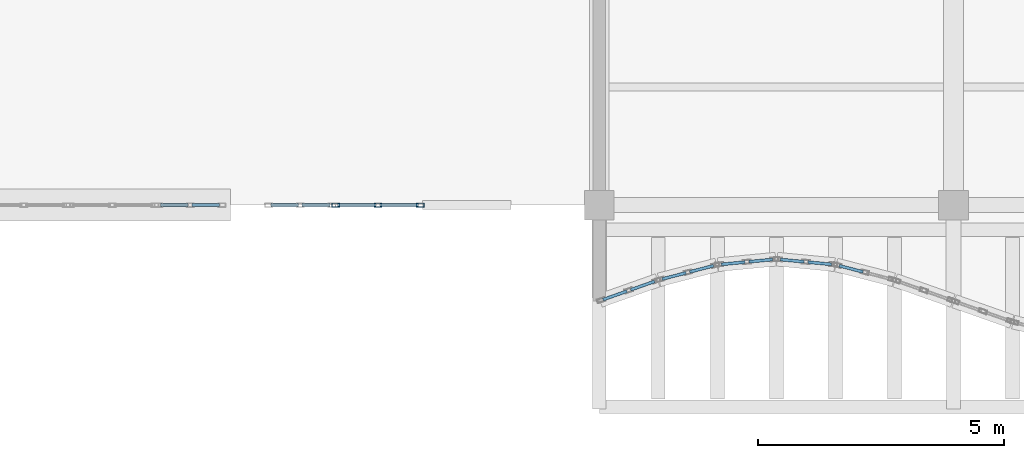
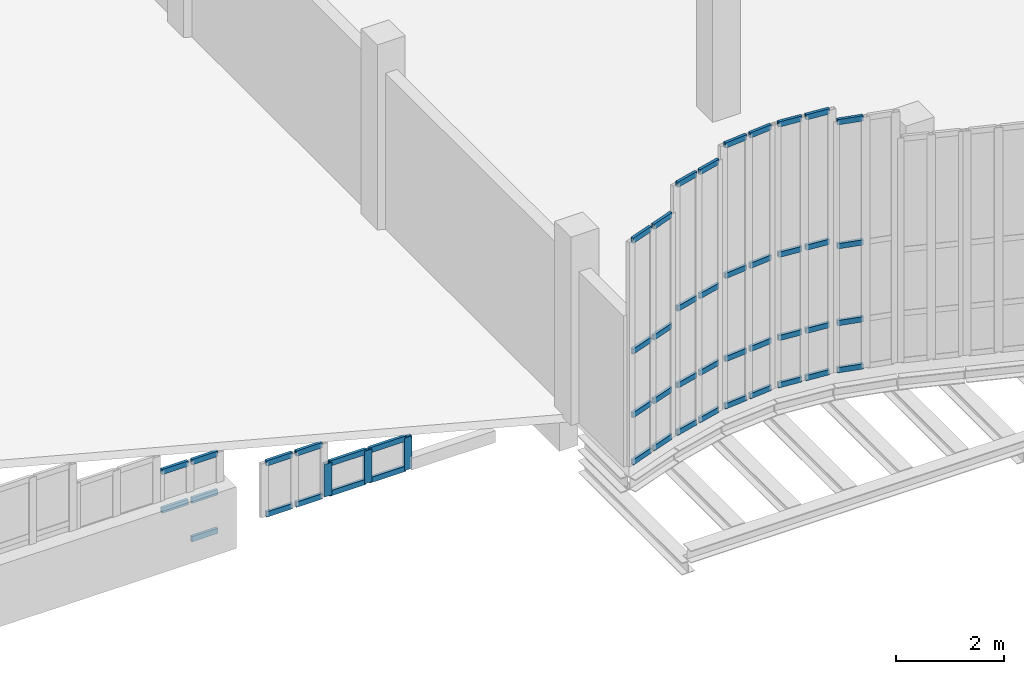
# One storey, part 33 of 76: 52 members, 8 elements without a shape of their own.
"""IFC4 building model written with IfcOpenShell, lengths in metres."""

from ifc_helpers import new_model, si_unit, direction, frame, origin, origin_2d, place, context, subcontext, project, spatial, hollow_rectangle, extrude, material, layer, layer_set, material_profile, profile_set, type_object, element, aggregate, save


model = new_model("IFC4")

# Units and contexts
model_context = context("Model", 3, precision=1e-05, world=origin(), true_north=direction((0.0, 1.0)))
body_context = subcontext(model_context, "Body", "Model", "MODEL_VIEW")
ifc_project = project(units=[si_unit("LENGTHUNIT", "METRE"), si_unit("AREAUNIT", "SQUARE_METRE"), si_unit("VOLUMEUNIT", "CUBIC_METRE"), si_unit("PLANEANGLEUNIT", "RADIAN"), si_unit("MASSUNIT", "GRAM", prefix="KILO"), si_unit("THERMODYNAMICTEMPERATUREUNIT", "KELVIN"), si_unit("POWERUNIT", "WATT")], contexts=[model_context])

# Site, building, storey
site_placement = place(None, origin())
site = spatial("IfcSite", under=ifc_project, at=site_placement, CompositionType="ELEMENT")
building_placement = place(site_placement, origin())
building = spatial("IfcBuilding", under=site, at=building_placement, Name="Kaldorven Railside Theatre", CompositionType="ELEMENT")
storey_placement = place(building_placement, frame((0.0, 0.0, 14.39990234375)))
storey = spatial("IfcBuildingStorey", under=building, at=storey_placement, Name="L03", CompositionType="ELEMENT", Elevation=14.39990234375)

# Curtain wall, members
ifc_material_1 = material(Name="Low-E laminated solar-control glass", Category="glass")
ifc_layer_1 = layer(ifc_material_1, 0.159912109375, Name="Low-E laminated solar-control glass")
ifc_layer_set_1 = layer_set([ifc_layer_1], Name="Low-E laminated solar-control glass")
curtain_wall_type_1 = type_object("IfcCurtainWallType", Name="CWT-60", PredefinedType="USERDEFINED", material=ifc_layer_set_1)
curtain_wall_1_placement = place(storey_placement, origin())
curtain_wall_1 = element("IfcCurtainWall", 1, at=curtain_wall_1_placement, inside=storey, type_object=curtain_wall_type_1, Name="Studio South Gable Clerestory CWG-123", ObjectType="FLUTED GLAZING", PredefinedType="USERDEFINED")
ifc_material_2 = material(Name="Anodised bronze aluminium", Category="aluminium")
ifc_material_profile_1 = material_profile(ifc_material_2, hollow_rectangle(XDim=0.080078125, YDim=0.159912109375, WallThickness=0.00634765625, at=origin_2d()), Name="RHS 160x80x6.3")
ifc_profile_set_1 = profile_set([ifc_material_profile_1], Name="Anodised bronze aluminium")
member_type_1 = type_object("IfcMemberType", Name="CWM-160", PredefinedType="MULLION", material=ifc_profile_set_1)
member_1_placement = place(storey_placement, frame((31.43994140625, 19.199951171875, 0.02001953125), z_axis=(0.0, 0.0, 1.0), x_axis=(0.0, 1.0, 0.0)))
member_1 = element("IfcMember", 2, at=member_1_placement, type_object=member_type_1, Name="CWG-123 mullion 1", PredefinedType="MULLION", context=body_context, shape_type="SweptSolid", body=[
    extrude(hollow_rectangle(XDim=0.080078125, YDim=0.159912109375, WallThickness=0.00634765625, at=origin_2d()), origin(), (0.0, 0.0, 1.0), 0.739990234375),
])
member_2_placement = place(storey_placement, frame((32.300048828125, 19.199951171875, 0.02001953125), z_axis=(0.0, 0.0, 1.0), x_axis=(0.0, 1.0, 0.0)))
member_2 = element("IfcMember", 3, at=member_2_placement, type_object=member_type_1, Name="CWG-123 mullion 2", PredefinedType="MULLION", context=body_context, shape_type="SweptSolid", body=[
    extrude(hollow_rectangle(XDim=0.080078125, YDim=0.159912109375, WallThickness=0.00634765625, at=origin_2d()), origin(), (0.0, 0.0, 1.0), 0.739990234375),
])
member_3_placement = place(storey_placement, frame((33.159912109375, 19.199951171875, 0.02001953125), z_axis=(0.0, 0.0, 1.0), x_axis=(0.0, 1.0, 0.0)))
member_3 = element("IfcMember", 4, at=member_3_placement, type_object=member_type_1, Name="CWG-123 mullion 3", PredefinedType="MULLION", context=body_context, shape_type="SweptSolid", body=[
    extrude(hollow_rectangle(XDim=0.080078125, YDim=0.159912109375, WallThickness=0.00634765625, at=origin_2d()), origin(), (0.0, 0.0, 1.0), 0.739990234375),
])

ifc_layer_2 = layer(ifc_material_1, 0.159912109375, Name="Low-E laminated solar-control glass")
ifc_layer_set_2 = layer_set([ifc_layer_2], Name="Low-E laminated solar-control glass")
curtain_wall_type_2 = type_object("IfcCurtainWallType", Name="CWT-08", PredefinedType="USERDEFINED", material=ifc_layer_set_2)
curtain_wall_2_placement = place(storey_placement, origin())
curtain_wall_2 = element("IfcCurtainWall", 5, at=curtain_wall_2_placement, inside=storey, type_object=curtain_wall_type_2, Name="Sinusoidal Fluted Curtain Wall CW-L03-S01", ObjectType="FLUTED GLAZING", PredefinedType="USERDEFINED")
ifc_material_profile_2 = material_profile(ifc_material_2, hollow_rectangle(XDim=0.06005859375, YDim=0.1201171875, WallThickness=0.0048828125, at=origin_2d()), Name="RHS 120x60x5")
ifc_profile_set_2 = profile_set([ifc_material_profile_2], Name="Anodised bronze aluminium")
member_type_2 = type_object("IfcMemberType", Name="CWT-120", PredefinedType="USERDEFINED", material=ifc_profile_set_2)
member_4_placement = place(storey_placement, frame((36.87548828125, 17.276611328125, 0.030029296875), z_axis=(0.942509408488, 0.334179614745, 0.0), x_axis=(-0.334179614745, 0.942509408488, 0.0)))
member_4 = element("IfcMember", 6, at=member_4_placement, type_object=member_type_2, Name="CW-L03-S01 transom 1.1", ObjectType="TRANSOM", PredefinedType="USERDEFINED", context=body_context, shape_type="SweptSolid", body=[
    extrude(hollow_rectangle(XDim=0.06005859375, YDim=0.1201171875, WallThickness=0.0048828125, at=origin_2d()), origin(), (0.0, 0.0, 1.0), 0.5166015625),
])
member_5_placement = place(storey_placement, frame((36.87548828125, 17.276611328125, 1.10009765625), z_axis=(0.942509408488, 0.334179614745, 0.0), x_axis=(-0.334179614745, 0.942509408488, 0.0)))
member_5 = element("IfcMember", 7, at=member_5_placement, type_object=member_type_2, Name="CW-L03-S01 transom 1.2", ObjectType="TRANSOM", PredefinedType="USERDEFINED", context=body_context, shape_type="SweptSolid", body=[
    extrude(hollow_rectangle(XDim=0.06005859375, YDim=0.1201171875, WallThickness=0.0048828125, at=origin_2d()), origin(), (0.0, 0.0, 1.0), 0.5166015625),
])
member_6_placement = place(storey_placement, frame((36.87548828125, 17.276611328125, 2.545166015625), z_axis=(0.942509408488, 0.334179614745, 0.0), x_axis=(-0.334179614745, 0.942509408488, 0.0)))
member_6 = element("IfcMember", 8, at=member_6_placement, type_object=member_type_2, Name="CW-L03-S01 transom 1.3", ObjectType="TRANSOM", PredefinedType="USERDEFINED", context=body_context, shape_type="SweptSolid", body=[
    extrude(hollow_rectangle(XDim=0.06005859375, YDim=0.1201171875, WallThickness=0.0048828125, at=origin_2d()), origin(), (0.0, 0.0, 1.0), 0.5166015625),
])
member_7_placement = place(storey_placement, frame((36.87548828125, 17.276611328125, 5.06005859375), z_axis=(0.942509408488, 0.334179614745, 0.0), x_axis=(-0.334179614745, 0.942509408488, 0.0)))
member_7 = element("IfcMember", 9, at=member_7_placement, type_object=member_type_2, Name="CW-L03-S01 transom 1.4", ObjectType="TRANSOM", PredefinedType="USERDEFINED", context=body_context, shape_type="SweptSolid", body=[
    extrude(hollow_rectangle(XDim=0.06005859375, YDim=0.1201171875, WallThickness=0.0048828125, at=origin_2d()), origin(), (0.0, 0.0, 1.0), 0.5166015625),
])
member_8_placement = place(storey_placement, frame((37.437744140625, 17.475830078125, 0.030029296875), z_axis=(0.942658214948, 0.333759628763, 0.0), x_axis=(-0.333759628763, 0.942658214948, 0.0)))
member_8 = element("IfcMember", 10, at=member_8_placement, type_object=member_type_2, Name="CW-L03-S01 transom 2.1", ObjectType="TRANSOM", PredefinedType="USERDEFINED", context=body_context, shape_type="SweptSolid", body=[
    extrude(hollow_rectangle(XDim=0.06005859375, YDim=0.1201171875, WallThickness=0.0048828125, at=origin_2d()), origin(), (0.0, 0.0, 1.0), 0.516357421875),
])
member_9_placement = place(storey_placement, frame((37.437744140625, 17.475830078125, 1.10009765625), z_axis=(0.942658214948, 0.333759628763, 0.0), x_axis=(-0.333759628763, 0.942658214948, 0.0)))
member_9 = element("IfcMember", 11, at=member_9_placement, type_object=member_type_2, Name="CW-L03-S01 transom 2.2", ObjectType="TRANSOM", PredefinedType="USERDEFINED", context=body_context, shape_type="SweptSolid", body=[
    extrude(hollow_rectangle(XDim=0.06005859375, YDim=0.1201171875, WallThickness=0.0048828125, at=origin_2d()), origin(), (0.0, 0.0, 1.0), 0.516357421875),
])
member_10_placement = place(storey_placement, frame((37.437744140625, 17.475830078125, 2.545166015625), z_axis=(0.942658214948, 0.333759628763, 0.0), x_axis=(-0.333759628763, 0.942658214948, 0.0)))
member_10 = element("IfcMember", 12, at=member_10_placement, type_object=member_type_2, Name="CW-L03-S01 transom 2.3", ObjectType="TRANSOM", PredefinedType="USERDEFINED", context=body_context, shape_type="SweptSolid", body=[
    extrude(hollow_rectangle(XDim=0.06005859375, YDim=0.1201171875, WallThickness=0.0048828125, at=origin_2d()), origin(), (0.0, 0.0, 1.0), 0.516357421875),
])
member_11_placement = place(storey_placement, frame((37.437744140625, 17.475830078125, 5.06005859375), z_axis=(0.942658214948, 0.333759628763, 0.0), x_axis=(-0.333759628763, 0.942658214948, 0.0)))
member_11 = element("IfcMember", 13, at=member_11_placement, type_object=member_type_2, Name="CW-L03-S01 transom 2.4", ObjectType="TRANSOM", PredefinedType="USERDEFINED", context=body_context, shape_type="SweptSolid", body=[
    extrude(hollow_rectangle(XDim=0.06005859375, YDim=0.1201171875, WallThickness=0.0048828125, at=origin_2d()), origin(), (0.0, 0.0, 1.0), 0.516357421875),
])
aggregate(curtain_wall_2, [member_4, member_5, member_6, member_7, member_8, member_9, member_10, member_11])

ifc_layer_3 = layer(ifc_material_1, 0.159912109375, Name="Low-E laminated solar-control glass")
ifc_layer_set_3 = layer_set([ifc_layer_3], Name="Low-E laminated solar-control glass")
curtain_wall_type_3 = type_object("IfcCurtainWallType", Name="CWT-09", PredefinedType="USERDEFINED", material=ifc_layer_set_3)
curtain_wall_3_placement = place(storey_placement, origin())
curtain_wall_3 = element("IfcCurtainWall", 14, at=curtain_wall_3_placement, inside=storey, type_object=curtain_wall_type_3, Name="Sinusoidal Fluted Curtain Wall CW-L03-S02", ObjectType="FLUTED GLAZING", PredefinedType="USERDEFINED")
member_12_placement = place(storey_placement, frame((38.077392578125, 17.695068359375, 0.030029296875), z_axis=(0.967979318949, 0.251029954561, 0.0), x_axis=(-0.251029954561, 0.967979318949, 0.0)))
member_12 = element("IfcMember", 15, at=member_12_placement, type_object=member_type_2, Name="CW-L03-S02 transom 1.1", ObjectType="TRANSOM", PredefinedType="USERDEFINED", context=body_context, shape_type="SweptSolid", body=[
    extrude(hollow_rectangle(XDim=0.06005859375, YDim=0.1201171875, WallThickness=0.0048828125, at=origin_2d()), origin(), (0.0, 0.0, 1.0), 0.5),
])
member_13_placement = place(storey_placement, frame((38.077392578125, 17.695068359375, 1.10009765625), z_axis=(0.967979318949, 0.251029954561, 0.0), x_axis=(-0.251029954561, 0.967979318949, 0.0)))
member_13 = element("IfcMember", 16, at=member_13_placement, type_object=member_type_2, Name="CW-L03-S02 transom 1.2", ObjectType="TRANSOM", PredefinedType="USERDEFINED", context=body_context, shape_type="SweptSolid", body=[
    extrude(hollow_rectangle(XDim=0.06005859375, YDim=0.1201171875, WallThickness=0.0048828125, at=origin_2d()), origin(), (0.0, 0.0, 1.0), 0.5),
])
member_14_placement = place(storey_placement, frame((38.077392578125, 17.695068359375, 2.84521484375), z_axis=(0.967979318949, 0.251029954561, 0.0), x_axis=(-0.251029954561, 0.967979318949, 0.0)))
member_14 = element("IfcMember", 17, at=member_14_placement, type_object=member_type_2, Name="CW-L03-S02 transom 1.3", ObjectType="TRANSOM", PredefinedType="USERDEFINED", context=body_context, shape_type="SweptSolid", body=[
    extrude(hollow_rectangle(XDim=0.06005859375, YDim=0.1201171875, WallThickness=0.0048828125, at=origin_2d()), origin(), (0.0, 0.0, 1.0), 0.5),
])
member_15_placement = place(storey_placement, frame((38.077392578125, 17.695068359375, 5.66015625), z_axis=(0.967979318949, 0.251029954561, 0.0), x_axis=(-0.251029954561, 0.967979318949, 0.0)))
member_15 = element("IfcMember", 18, at=member_15_placement, type_object=member_type_2, Name="CW-L03-S02 transom 1.4", ObjectType="TRANSOM", PredefinedType="USERDEFINED", context=body_context, shape_type="SweptSolid", body=[
    extrude(hollow_rectangle(XDim=0.06005859375, YDim=0.1201171875, WallThickness=0.0048828125, at=origin_2d()), origin(), (0.0, 0.0, 1.0), 0.5),
])
member_16_placement = place(storey_placement, frame((38.638671875, 17.840576171875, 0.030029296875), z_axis=(0.967979318949, 0.251029954561, 0.0), x_axis=(-0.251029954561, 0.967979318949, 0.0)))
member_16 = element("IfcMember", 19, at=member_16_placement, type_object=member_type_2, Name="CW-L03-S02 transom 2.1", ObjectType="TRANSOM", PredefinedType="USERDEFINED", context=body_context, shape_type="SweptSolid", body=[
    extrude(hollow_rectangle(XDim=0.06005859375, YDim=0.1201171875, WallThickness=0.0048828125, at=origin_2d()), origin(), (0.0, 0.0, 1.0), 0.5),
])
member_17_placement = place(storey_placement, frame((38.638671875, 17.840576171875, 1.10009765625), z_axis=(0.967979318949, 0.251029954561, 0.0), x_axis=(-0.251029954561, 0.967979318949, 0.0)))
member_17 = element("IfcMember", 20, at=member_17_placement, type_object=member_type_2, Name="CW-L03-S02 transom 2.2", ObjectType="TRANSOM", PredefinedType="USERDEFINED", context=body_context, shape_type="SweptSolid", body=[
    extrude(hollow_rectangle(XDim=0.06005859375, YDim=0.1201171875, WallThickness=0.0048828125, at=origin_2d()), origin(), (0.0, 0.0, 1.0), 0.5),
])
member_18_placement = place(storey_placement, frame((38.638671875, 17.840576171875, 2.84521484375), z_axis=(0.967979318949, 0.251029954561, 0.0), x_axis=(-0.251029954561, 0.967979318949, 0.0)))
member_18 = element("IfcMember", 21, at=member_18_placement, type_object=member_type_2, Name="CW-L03-S02 transom 2.3", ObjectType="TRANSOM", PredefinedType="USERDEFINED", context=body_context, shape_type="SweptSolid", body=[
    extrude(hollow_rectangle(XDim=0.06005859375, YDim=0.1201171875, WallThickness=0.0048828125, at=origin_2d()), origin(), (0.0, 0.0, 1.0), 0.5),
])
member_19_placement = place(storey_placement, frame((38.638671875, 17.840576171875, 5.66015625), z_axis=(0.967979318949, 0.251029954561, 0.0), x_axis=(-0.251029954561, 0.967979318949, 0.0)))
member_19 = element("IfcMember", 22, at=member_19_placement, type_object=member_type_2, Name="CW-L03-S02 transom 2.4", ObjectType="TRANSOM", PredefinedType="USERDEFINED", context=body_context, shape_type="SweptSolid", body=[
    extrude(hollow_rectangle(XDim=0.06005859375, YDim=0.1201171875, WallThickness=0.0048828125, at=origin_2d()), origin(), (0.0, 0.0, 1.0), 0.5),
])
aggregate(curtain_wall_3, [member_12, member_13, member_14, member_15, member_16, member_17, member_18, member_19])

ifc_layer_4 = layer(ifc_material_1, 0.159912109375, Name="Low-E laminated solar-control glass")
ifc_layer_set_4 = layer_set([ifc_layer_4], Name="Low-E laminated solar-control glass")
curtain_wall_type_4 = type_object("IfcCurtainWallType", Name="CWT-10", PredefinedType="USERDEFINED", material=ifc_layer_set_4)
curtain_wall_4_placement = place(storey_placement, origin())
curtain_wall_4 = element("IfcCurtainWall", 23, at=curtain_wall_4_placement, inside=storey, type_object=curtain_wall_type_4, Name="Sinusoidal Fluted Curtain Wall CW-L03-S03", ObjectType="FLUTED GLAZING", PredefinedType="USERDEFINED")
member_20_placement = place(storey_placement, frame((39.279541015625, 17.99365234375, 0.030029296875), z_axis=(0.995520433802, 0.094546633378, 0.0), x_axis=(-0.094546633378, 0.995520433802, 0.0)))
member_20 = element("IfcMember", 24, at=member_20_placement, type_object=member_type_2, Name="CW-L03-S03 transom 1.1", ObjectType="TRANSOM", PredefinedType="USERDEFINED", context=body_context, shape_type="SweptSolid", body=[
    extrude(hollow_rectangle(XDim=0.06005859375, YDim=0.1201171875, WallThickness=0.0048828125, at=origin_2d()), origin(), (0.0, 0.0, 1.0), 0.48291015625),
])
member_21_placement = place(storey_placement, frame((39.279541015625, 17.99365234375, 1.10009765625), z_axis=(0.995520433802, 0.094546633378, 0.0), x_axis=(-0.094546633378, 0.995520433802, 0.0)))
member_21 = element("IfcMember", 25, at=member_21_placement, type_object=member_type_2, Name="CW-L03-S03 transom 1.2", ObjectType="TRANSOM", PredefinedType="USERDEFINED", context=body_context, shape_type="SweptSolid", body=[
    extrude(hollow_rectangle(XDim=0.06005859375, YDim=0.1201171875, WallThickness=0.0048828125, at=origin_2d()), origin(), (0.0, 0.0, 1.0), 0.48291015625),
])
member_22_placement = place(storey_placement, frame((39.279541015625, 17.99365234375, 2.989990234375), z_axis=(0.995520433802, 0.094546633378, 0.0), x_axis=(-0.094546633378, 0.995520433802, 0.0)))
member_22 = element("IfcMember", 26, at=member_22_placement, type_object=member_type_2, Name="CW-L03-S03 transom 1.3", ObjectType="TRANSOM", PredefinedType="USERDEFINED", context=body_context, shape_type="SweptSolid", body=[
    extrude(hollow_rectangle(XDim=0.06005859375, YDim=0.1201171875, WallThickness=0.0048828125, at=origin_2d()), origin(), (0.0, 0.0, 1.0), 0.48291015625),
])
member_23_placement = place(storey_placement, frame((39.279541015625, 17.99365234375, 5.9501953125), z_axis=(0.995520433802, 0.094546633378, 0.0), x_axis=(-0.094546633378, 0.995520433802, 0.0)))
member_23 = element("IfcMember", 27, at=member_23_placement, type_object=member_type_2, Name="CW-L03-S03 transom 1.4", ObjectType="TRANSOM", PredefinedType="USERDEFINED", context=body_context, shape_type="SweptSolid", body=[
    extrude(hollow_rectangle(XDim=0.06005859375, YDim=0.1201171875, WallThickness=0.0048828125, at=origin_2d()), origin(), (0.0, 0.0, 1.0), 0.48291015625),
])
member_24_placement = place(storey_placement, frame((39.83984375, 18.046875, 0.030029296875), z_axis=(0.995515910823, 0.094594245591, 0.0), x_axis=(-0.094594245591, 0.995515910823, 0.0)))
member_24 = element("IfcMember", 28, at=member_24_placement, type_object=member_type_2, Name="CW-L03-S03 transom 2.1", ObjectType="TRANSOM", PredefinedType="USERDEFINED", context=body_context, shape_type="SweptSolid", body=[
    extrude(hollow_rectangle(XDim=0.06005859375, YDim=0.1201171875, WallThickness=0.0048828125, at=origin_2d()), origin(), (0.0, 0.0, 1.0), 0.482666015625),
])
member_25_placement = place(storey_placement, frame((39.83984375, 18.046875, 1.10009765625), z_axis=(0.995515910823, 0.094594245591, 0.0), x_axis=(-0.094594245591, 0.995515910823, 0.0)))
member_25 = element("IfcMember", 29, at=member_25_placement, type_object=member_type_2, Name="CW-L03-S03 transom 2.2", ObjectType="TRANSOM", PredefinedType="USERDEFINED", context=body_context, shape_type="SweptSolid", body=[
    extrude(hollow_rectangle(XDim=0.06005859375, YDim=0.1201171875, WallThickness=0.0048828125, at=origin_2d()), origin(), (0.0, 0.0, 1.0), 0.482666015625),
])
member_26_placement = place(storey_placement, frame((39.83984375, 18.046875, 2.989990234375), z_axis=(0.995515910823, 0.094594245591, 0.0), x_axis=(-0.094594245591, 0.995515910823, 0.0)))
member_26 = element("IfcMember", 30, at=member_26_placement, type_object=member_type_2, Name="CW-L03-S03 transom 2.3", ObjectType="TRANSOM", PredefinedType="USERDEFINED", context=body_context, shape_type="SweptSolid", body=[
    extrude(hollow_rectangle(XDim=0.06005859375, YDim=0.1201171875, WallThickness=0.0048828125, at=origin_2d()), origin(), (0.0, 0.0, 1.0), 0.482666015625),
])
member_27_placement = place(storey_placement, frame((39.83984375, 18.046875, 5.9501953125), z_axis=(0.995515910823, 0.094594245591, 0.0), x_axis=(-0.094594245591, 0.995515910823, 0.0)))
member_27 = element("IfcMember", 31, at=member_27_placement, type_object=member_type_2, Name="CW-L03-S03 transom 2.4", ObjectType="TRANSOM", PredefinedType="USERDEFINED", context=body_context, shape_type="SweptSolid", body=[
    extrude(hollow_rectangle(XDim=0.06005859375, YDim=0.1201171875, WallThickness=0.0048828125, at=origin_2d()), origin(), (0.0, 0.0, 1.0), 0.482666015625),
])
aggregate(curtain_wall_4, [member_20, member_21, member_22, member_23, member_24, member_25, member_26, member_27])

curtain_wall_5_placement = place(storey_placement, origin())
curtain_wall_5 = element("IfcCurtainWall", 32, at=curtain_wall_5_placement, inside=storey, type_object=curtain_wall_type_4, Name="Sinusoidal Fluted Curtain Wall CW-L03-S04", ObjectType="FLUTED GLAZING", PredefinedType="USERDEFINED")
member_28_placement = place(storey_placement, frame((40.479736328125, 18.092529296875, 0.030029296875), z_axis=(0.995515910823, -0.094594245591, 0.0), x_axis=(0.094594245591, 0.995515910823, 0.0)))
member_28 = element("IfcMember", 33, at=member_28_placement, type_object=member_type_2, Name="CW-L03-S04 transom 1.1", ObjectType="TRANSOM", PredefinedType="USERDEFINED", context=body_context, shape_type="SweptSolid", body=[
    extrude(hollow_rectangle(XDim=0.06005859375, YDim=0.1201171875, WallThickness=0.0048828125, at=origin_2d()), origin(), (0.0, 0.0, 1.0), 0.482666015625),
])
member_29_placement = place(storey_placement, frame((40.479736328125, 18.092529296875, 1.10009765625), z_axis=(0.995515910823, -0.094594245591, 0.0), x_axis=(0.094594245591, 0.995515910823, 0.0)))
member_29 = element("IfcMember", 34, at=member_29_placement, type_object=member_type_2, Name="CW-L03-S04 transom 1.2", ObjectType="TRANSOM", PredefinedType="USERDEFINED", context=body_context, shape_type="SweptSolid", body=[
    extrude(hollow_rectangle(XDim=0.06005859375, YDim=0.1201171875, WallThickness=0.0048828125, at=origin_2d()), origin(), (0.0, 0.0, 1.0), 0.482666015625),
])
member_30_placement = place(storey_placement, frame((40.479736328125, 18.092529296875, 2.989990234375), z_axis=(0.995515910823, -0.094594245591, 0.0), x_axis=(0.094594245591, 0.995515910823, 0.0)))
member_30 = element("IfcMember", 35, at=member_30_placement, type_object=member_type_2, Name="CW-L03-S04 transom 1.3", ObjectType="TRANSOM", PredefinedType="USERDEFINED", context=body_context, shape_type="SweptSolid", body=[
    extrude(hollow_rectangle(XDim=0.06005859375, YDim=0.1201171875, WallThickness=0.0048828125, at=origin_2d()), origin(), (0.0, 0.0, 1.0), 0.482666015625),
])
member_31_placement = place(storey_placement, frame((40.479736328125, 18.092529296875, 5.9501953125), z_axis=(0.995515910823, -0.094594245591, 0.0), x_axis=(0.094594245591, 0.995515910823, 0.0)))
member_31 = element("IfcMember", 36, at=member_31_placement, type_object=member_type_2, Name="CW-L03-S04 transom 1.4", ObjectType="TRANSOM", PredefinedType="USERDEFINED", context=body_context, shape_type="SweptSolid", body=[
    extrude(hollow_rectangle(XDim=0.06005859375, YDim=0.1201171875, WallThickness=0.0048828125, at=origin_2d()), origin(), (0.0, 0.0, 1.0), 0.482666015625),
])
member_32_placement = place(storey_placement, frame((41.039794921875, 18.039306640625, 0.030029296875), z_axis=(0.995515910823, -0.094594245591, 0.0), x_axis=(0.094594245591, 0.995515910823, 0.0)))
member_32 = element("IfcMember", 37, at=member_32_placement, type_object=member_type_2, Name="CW-L03-S04 transom 2.1", ObjectType="TRANSOM", PredefinedType="USERDEFINED", context=body_context, shape_type="SweptSolid", body=[
    extrude(hollow_rectangle(XDim=0.06005859375, YDim=0.1201171875, WallThickness=0.0048828125, at=origin_2d()), origin(), (0.0, 0.0, 1.0), 0.482666015625),
])
member_33_placement = place(storey_placement, frame((41.039794921875, 18.039306640625, 1.10009765625), z_axis=(0.995515910823, -0.094594245591, 0.0), x_axis=(0.094594245591, 0.995515910823, 0.0)))
member_33 = element("IfcMember", 38, at=member_33_placement, type_object=member_type_2, Name="CW-L03-S04 transom 2.2", ObjectType="TRANSOM", PredefinedType="USERDEFINED", context=body_context, shape_type="SweptSolid", body=[
    extrude(hollow_rectangle(XDim=0.06005859375, YDim=0.1201171875, WallThickness=0.0048828125, at=origin_2d()), origin(), (0.0, 0.0, 1.0), 0.482666015625),
])
member_34_placement = place(storey_placement, frame((41.039794921875, 18.039306640625, 2.989990234375), z_axis=(0.995515910823, -0.094594245591, 0.0), x_axis=(0.094594245591, 0.995515910823, 0.0)))
member_34 = element("IfcMember", 39, at=member_34_placement, type_object=member_type_2, Name="CW-L03-S04 transom 2.3", ObjectType="TRANSOM", PredefinedType="USERDEFINED", context=body_context, shape_type="SweptSolid", body=[
    extrude(hollow_rectangle(XDim=0.06005859375, YDim=0.1201171875, WallThickness=0.0048828125, at=origin_2d()), origin(), (0.0, 0.0, 1.0), 0.482666015625),
])
member_35_placement = place(storey_placement, frame((41.039794921875, 18.039306640625, 5.9501953125), z_axis=(0.995515910823, -0.094594245591, 0.0), x_axis=(0.094594245591, 0.995515910823, 0.0)))
member_35 = element("IfcMember", 40, at=member_35_placement, type_object=member_type_2, Name="CW-L03-S04 transom 2.4", ObjectType="TRANSOM", PredefinedType="USERDEFINED", context=body_context, shape_type="SweptSolid", body=[
    extrude(hollow_rectangle(XDim=0.06005859375, YDim=0.1201171875, WallThickness=0.0048828125, at=origin_2d()), origin(), (0.0, 0.0, 1.0), 0.482666015625),
])
aggregate(curtain_wall_5, [member_28, member_29, member_30, member_31, member_32, member_33, member_34, member_35])

curtain_wall_6_placement = place(storey_placement, origin())
curtain_wall_6 = element("IfcCurtainWall", 41, at=curtain_wall_6_placement, inside=storey, type_object=curtain_wall_type_3, Name="Sinusoidal Fluted Curtain Wall CW-L03-S05", ObjectType="FLUTED GLAZING", PredefinedType="USERDEFINED")
member_36_placement = place(storey_placement, frame((41.677490234375, 17.966064453125, 0.030029296875), z_axis=(0.967979318949, -0.251029954561, 0.0), x_axis=(0.251029954561, 0.967979318949, 0.0)))
member_36 = element("IfcMember", 42, at=member_36_placement, type_object=member_type_2, Name="CW-L03-S05 transom 1.1", ObjectType="TRANSOM", PredefinedType="USERDEFINED", context=body_context, shape_type="SweptSolid", body=[
    extrude(hollow_rectangle(XDim=0.06005859375, YDim=0.1201171875, WallThickness=0.0048828125, at=origin_2d()), origin(), (0.0, 0.0, 1.0), 0.5),
])
member_37_placement = place(storey_placement, frame((41.677490234375, 17.966064453125, 1.10009765625), z_axis=(0.967979318949, -0.251029954561, 0.0), x_axis=(0.251029954561, 0.967979318949, 0.0)))
member_37 = element("IfcMember", 43, at=member_37_placement, type_object=member_type_2, Name="CW-L03-S05 transom 1.2", ObjectType="TRANSOM", PredefinedType="USERDEFINED", context=body_context, shape_type="SweptSolid", body=[
    extrude(hollow_rectangle(XDim=0.06005859375, YDim=0.1201171875, WallThickness=0.0048828125, at=origin_2d()), origin(), (0.0, 0.0, 1.0), 0.5),
])
member_38_placement = place(storey_placement, frame((41.677490234375, 17.966064453125, 2.84521484375), z_axis=(0.967979318949, -0.251029954561, 0.0), x_axis=(0.251029954561, 0.967979318949, 0.0)))
member_38 = element("IfcMember", 44, at=member_38_placement, type_object=member_type_2, Name="CW-L03-S05 transom 1.3", ObjectType="TRANSOM", PredefinedType="USERDEFINED", context=body_context, shape_type="SweptSolid", body=[
    extrude(hollow_rectangle(XDim=0.06005859375, YDim=0.1201171875, WallThickness=0.0048828125, at=origin_2d()), origin(), (0.0, 0.0, 1.0), 0.5),
])
member_39_placement = place(storey_placement, frame((41.677490234375, 17.966064453125, 5.66015625), z_axis=(0.967979318949, -0.251029954561, 0.0), x_axis=(0.251029954561, 0.967979318949, 0.0)))
member_39 = element("IfcMember", 45, at=member_39_placement, type_object=member_type_2, Name="CW-L03-S05 transom 1.4", ObjectType="TRANSOM", PredefinedType="USERDEFINED", context=body_context, shape_type="SweptSolid", body=[
    extrude(hollow_rectangle(XDim=0.06005859375, YDim=0.1201171875, WallThickness=0.0048828125, at=origin_2d()), origin(), (0.0, 0.0, 1.0), 0.5),
])
aggregate(curtain_wall_6, [member_36, member_37, member_38, member_39])

ifc_layer_5 = layer(ifc_material_1, 0.159912109375, Name="Low-E laminated solar-control glass")
ifc_layer_set_5 = layer_set([ifc_layer_5], Name="Low-E laminated solar-control glass")
curtain_wall_type_5 = type_object("IfcCurtainWallType", Name="CWT-62", PredefinedType="USERDEFINED", material=ifc_layer_set_5)
curtain_wall_7_placement = place(storey_placement, origin())
curtain_wall_7 = element("IfcCurtainWall", 46, at=curtain_wall_7_placement, inside=storey, type_object=curtain_wall_type_5, Name="Studio South Gable Clerestory CWG-121", ObjectType="FLUTED GLAZING", PredefinedType="USERDEFINED")
member_40_placement = place(storey_placement, frame((27.8798828125, 19.199951171875, 0.925048828125), z_axis=(1.0, 0.0, 0.0), x_axis=(0.0, 1.0, 0.0)))
member_40 = element("IfcMember", 47, at=member_40_placement, type_object=member_type_2, Name="CWG-121 transom 1.2", ObjectType="TRANSOM", PredefinedType="USERDEFINED", context=body_context, shape_type="SweptSolid", body=[
    extrude(hollow_rectangle(XDim=0.06005859375, YDim=0.1201171875, WallThickness=0.0048828125, at=origin_2d()), origin(), (0.0, 0.0, 1.0), 0.56005859375),
])
member_41_placement = place(storey_placement, frame((27.8798828125, 19.199951171875, 1.800048828125), z_axis=(1.0, 0.0, 0.0), x_axis=(0.0, 1.0, 0.0)))
member_41 = element("IfcMember", 48, at=member_41_placement, type_object=member_type_2, Name="CWG-121 transom 1.3", ObjectType="TRANSOM", PredefinedType="USERDEFINED", context=body_context, shape_type="SweptSolid", body=[
    extrude(hollow_rectangle(XDim=0.06005859375, YDim=0.1201171875, WallThickness=0.0048828125, at=origin_2d()), origin(), (0.0, 0.0, 1.0), 0.56005859375),
])
member_42_placement = place(storey_placement, frame((28.52001953125, 19.199951171875, 0.050048828125), z_axis=(1.0, 0.0, 0.0), x_axis=(0.0, 1.0, 0.0)))
member_42 = element("IfcMember", 49, at=member_42_placement, type_object=member_type_2, Name="CWG-121 transom 2.1", ObjectType="TRANSOM", PredefinedType="USERDEFINED", context=body_context, shape_type="SweptSolid", body=[
    extrude(hollow_rectangle(XDim=0.06005859375, YDim=0.1201171875, WallThickness=0.0048828125, at=origin_2d()), origin(), (0.0, 0.0, 1.0), 0.56005859375),
])
member_43_placement = place(storey_placement, frame((28.52001953125, 19.199951171875, 0.925048828125), z_axis=(1.0, 0.0, 0.0), x_axis=(0.0, 1.0, 0.0)))
member_43 = element("IfcMember", 50, at=member_43_placement, type_object=member_type_2, Name="CWG-121 transom 2.2", ObjectType="TRANSOM", PredefinedType="USERDEFINED", context=body_context, shape_type="SweptSolid", body=[
    extrude(hollow_rectangle(XDim=0.06005859375, YDim=0.1201171875, WallThickness=0.0048828125, at=origin_2d()), origin(), (0.0, 0.0, 1.0), 0.56005859375),
])
member_44_placement = place(storey_placement, frame((28.52001953125, 19.199951171875, 1.800048828125), z_axis=(1.0, 0.0, 0.0), x_axis=(0.0, 1.0, 0.0)))
member_44 = element("IfcMember", 51, at=member_44_placement, type_object=member_type_2, Name="CWG-121 transom 2.3", ObjectType="TRANSOM", PredefinedType="USERDEFINED", context=body_context, shape_type="SweptSolid", body=[
    extrude(hollow_rectangle(XDim=0.06005859375, YDim=0.1201171875, WallThickness=0.0048828125, at=origin_2d()), origin(), (0.0, 0.0, 1.0), 0.56005859375),
])
aggregate(curtain_wall_7, [member_40, member_41, member_42, member_43, member_44])

ifc_layer_6 = layer(ifc_material_1, 0.159912109375, Name="Low-E laminated solar-control glass")
ifc_layer_set_6 = layer_set([ifc_layer_6], Name="Low-E laminated solar-control glass")
curtain_wall_type_6 = type_object("IfcCurtainWallType", Name="CWT-61", PredefinedType="USERDEFINED", material=ifc_layer_set_6)
curtain_wall_8_placement = place(storey_placement, origin())
curtain_wall_8 = element("IfcCurtainWall", 52, at=curtain_wall_8_placement, inside=storey, type_object=curtain_wall_type_6, Name="Studio South Gable Clerestory CWG-122", ObjectType="FLUTED GLAZING", PredefinedType="USERDEFINED")
member_45_placement = place(storey_placement, frame((30.1201171875, 19.199951171875, 0.050048828125), z_axis=(1.0, 0.0, 0.0), x_axis=(0.0, 1.0, 0.0)))
member_45 = element("IfcMember", 53, at=member_45_placement, type_object=member_type_2, Name="CWG-122 transom 1.1", ObjectType="TRANSOM", PredefinedType="USERDEFINED", context=body_context, shape_type="SweptSolid", body=[
    extrude(hollow_rectangle(XDim=0.06005859375, YDim=0.1201171875, WallThickness=0.0048828125, at=origin_2d()), origin(), (0.0, 0.0, 1.0), 0.559814453125),
])
member_46_placement = place(storey_placement, frame((30.1201171875, 19.199951171875, 1.210205078125), z_axis=(1.0, 0.0, 0.0), x_axis=(0.0, 1.0, 0.0)))
member_46 = element("IfcMember", 54, at=member_46_placement, type_object=member_type_2, Name="CWG-122 transom 1.2", ObjectType="TRANSOM", PredefinedType="USERDEFINED", context=body_context, shape_type="SweptSolid", body=[
    extrude(hollow_rectangle(XDim=0.06005859375, YDim=0.1201171875, WallThickness=0.0048828125, at=origin_2d()), origin(), (0.0, 0.0, 1.0), 0.559814453125),
])
member_47_placement = place(storey_placement, frame((30.760009765625, 19.199951171875, 0.050048828125), z_axis=(1.0, 0.0, 0.0), x_axis=(0.0, 1.0, 0.0)))
member_47 = element("IfcMember", 55, at=member_47_placement, type_object=member_type_2, Name="CWG-122 transom 2.1", ObjectType="TRANSOM", PredefinedType="USERDEFINED", context=body_context, shape_type="SweptSolid", body=[
    extrude(hollow_rectangle(XDim=0.06005859375, YDim=0.1201171875, WallThickness=0.0048828125, at=origin_2d()), origin(), (0.0, 0.0, 1.0), 0.56005859375),
])
member_48_placement = place(storey_placement, frame((30.760009765625, 19.199951171875, 1.210205078125), z_axis=(1.0, 0.0, 0.0), x_axis=(0.0, 1.0, 0.0)))
member_48 = element("IfcMember", 56, at=member_48_placement, type_object=member_type_2, Name="CWG-122 transom 2.2", ObjectType="TRANSOM", PredefinedType="USERDEFINED", context=body_context, shape_type="SweptSolid", body=[
    extrude(hollow_rectangle(XDim=0.06005859375, YDim=0.1201171875, WallThickness=0.0048828125, at=origin_2d()), origin(), (0.0, 0.0, 1.0), 0.56005859375),
])
aggregate(curtain_wall_8, [member_45, member_46, member_47, member_48])

# Member
member_49_placement = place(storey_placement, frame((31.47998046875, 19.199951171875, 0.050048828125), z_axis=(1.0, 0.0, 0.0), x_axis=(0.0, 1.0, 0.0)))
member_49 = element("IfcMember", 57, at=member_49_placement, type_object=member_type_2, Name="CWG-123 transom 1.1", ObjectType="TRANSOM", PredefinedType="USERDEFINED", context=body_context, shape_type="SweptSolid", body=[
    extrude(hollow_rectangle(XDim=0.06005859375, YDim=0.1201171875, WallThickness=0.0048828125, at=origin_2d()), origin(), (0.0, 0.0, 1.0), 0.780029296875),
])

member_50_placement = place(storey_placement, frame((31.47998046875, 19.199951171875, 0.72998046875), z_axis=(1.0, 0.0, 0.0), x_axis=(0.0, 1.0, 0.0)))
member_50 = element("IfcMember", 58, at=member_50_placement, type_object=member_type_2, Name="CWG-123 transom 1.2", ObjectType="TRANSOM", PredefinedType="USERDEFINED", context=body_context, shape_type="SweptSolid", body=[
    extrude(hollow_rectangle(XDim=0.06005859375, YDim=0.1201171875, WallThickness=0.0048828125, at=origin_2d()), origin(), (0.0, 0.0, 1.0), 0.780029296875),
])

member_51_placement = place(storey_placement, frame((32.340087890625, 19.199951171875, 0.050048828125), z_axis=(1.0, 0.0, 0.0), x_axis=(0.0, 1.0, 0.0)))
member_51 = element("IfcMember", 59, at=member_51_placement, type_object=member_type_2, Name="CWG-123 transom 2.1", ObjectType="TRANSOM", PredefinedType="USERDEFINED", context=body_context, shape_type="SweptSolid", body=[
    extrude(hollow_rectangle(XDim=0.06005859375, YDim=0.1201171875, WallThickness=0.0048828125, at=origin_2d()), origin(), (0.0, 0.0, 1.0), 0.780029296875),
])

member_52_placement = place(storey_placement, frame((32.340087890625, 19.199951171875, 0.72998046875), z_axis=(1.0, 0.0, 0.0), x_axis=(0.0, 1.0, 0.0)))
member_52 = element("IfcMember", 60, at=member_52_placement, type_object=member_type_2, Name="CWG-123 transom 2.2", ObjectType="TRANSOM", PredefinedType="USERDEFINED", context=body_context, shape_type="SweptSolid", body=[
    extrude(hollow_rectangle(XDim=0.06005859375, YDim=0.1201171875, WallThickness=0.0048828125, at=origin_2d()), origin(), (0.0, 0.0, 1.0), 0.780029296875),
])

aggregate(curtain_wall_1, [member_1, member_2, member_3, member_49, member_50, member_51, member_52])

save(model, "model.ifc")
